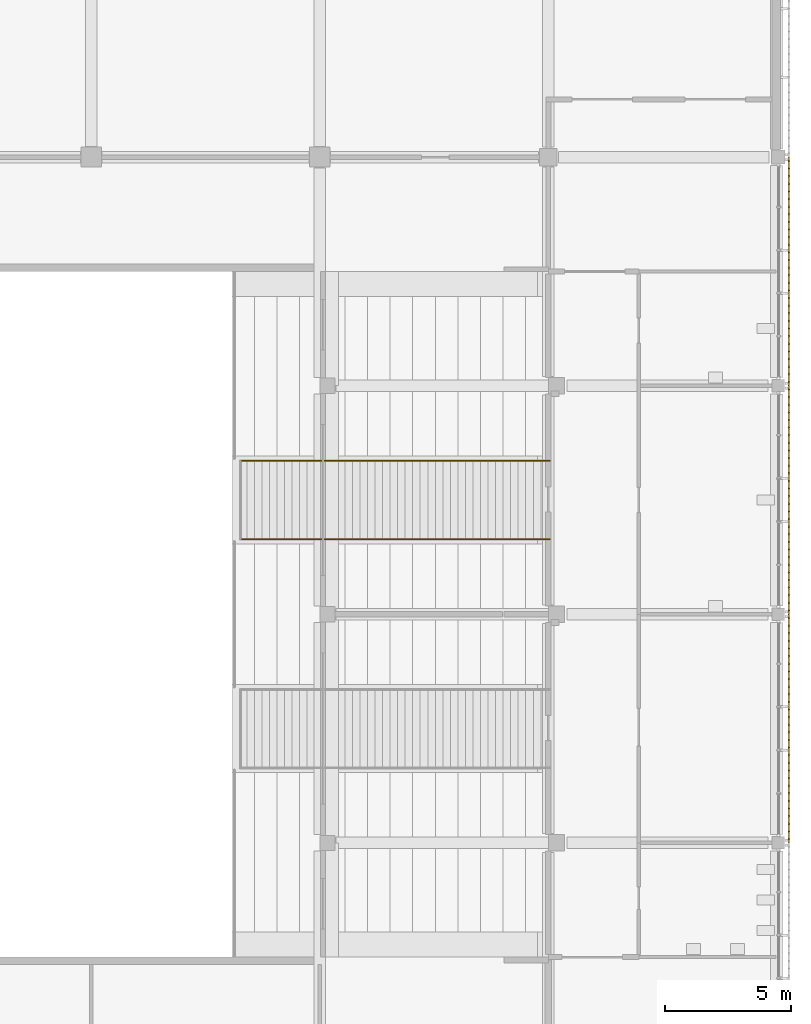
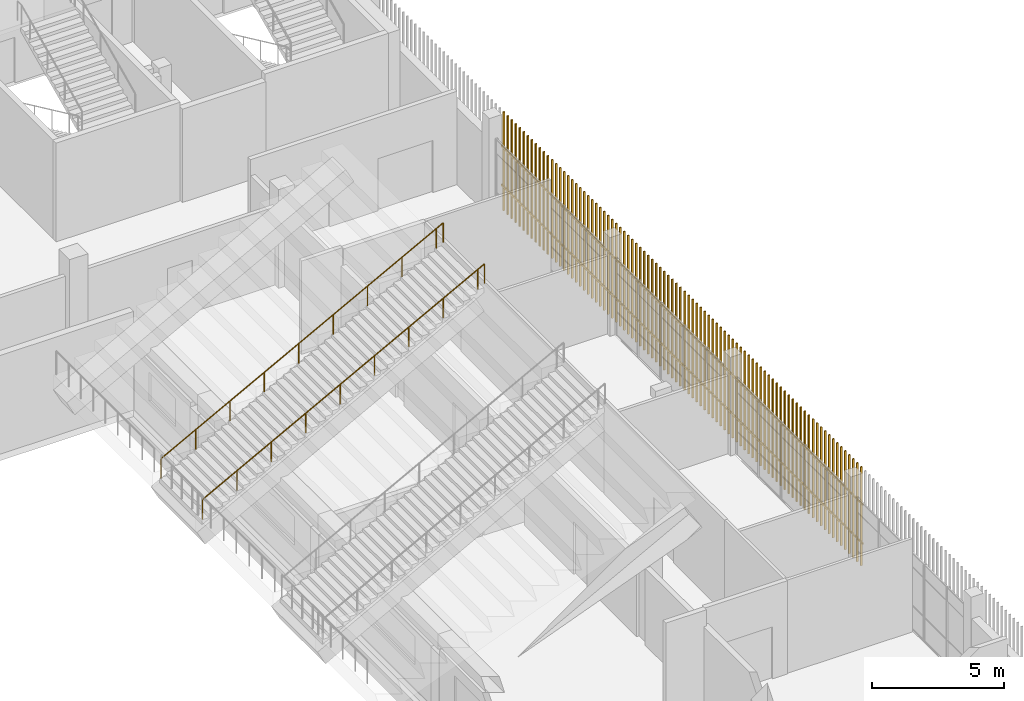
# One storey, part 133 of 139: 3 shading devices, 2 railings.
"""IFC4 building model written with IfcOpenShell, lengths in metres."""

from ifc_helpers import new_model, si_unit, direction, frame, origin, origin_2d, place, context, subcontext, project, spatial, rectangle, circle, extrude, material, type_object, element, save


model = new_model("IFC4")

# Units and contexts
model_context = context("Model", 3, precision=1e-05, world=origin(), true_north=direction((0.0, 1.0)))
body_context = subcontext(model_context, "Body", "Model", "MODEL_VIEW")
ifc_project = project(units=[si_unit("LENGTHUNIT", "METRE"), si_unit("AREAUNIT", "SQUARE_METRE"), si_unit("VOLUMEUNIT", "CUBIC_METRE"), si_unit("PLANEANGLEUNIT", "RADIAN"), si_unit("MASSUNIT", "GRAM", prefix="KILO")], contexts=[model_context])

# Site, building, storey
site_placement = place(None, origin())
site = spatial("IfcSite", under=ifc_project, at=site_placement, CompositionType="ELEMENT")
building_placement = place(site_placement, origin())
building = spatial("IfcBuilding", under=site, at=building_placement, Name="Shirokan Park Arena", CompositionType="ELEMENT")
storey_placement = place(building_placement, frame((0.0, 0.0, 15.469970703125)))
storey = spatial("IfcBuildingStorey", under=building, at=storey_placement, Name="L03", CompositionType="ELEMENT", Elevation=15.469970703125)

# Railings
ifc_material_1 = material(Name="Stainless steel", Category="steel")
railing_type = type_object("IfcRailingType", Name="Aisle handrail 900", PredefinedType="HANDRAIL", material=ifc_material_1)
railing_1_placement = place(storey_placement, frame((124.25, 57.590087890625, 2.5400390625)))
element("IfcRailing", 1, at=railing_1_placement, inside=storey, type_object=railing_type, Name="Handrail vomitory stair E2 upper", PredefinedType="HANDRAIL", context=body_context, shape_type="SweptSolid", body=[
    extrude(circle(Radius=0.02490234375, at=origin_2d()), frame((0.0, 0.0, 0.90185546875), z_axis=(0.882341014787, 0.0, 0.470610596591), x_axis=(0.0, 1.0, 0.0)), (0.0, 0.0, 1.0), 1.699951171875),
    extrude(circle(Radius=0.02490234375, at=origin_2d()), frame((1.5, 0.0, 1.70166015625), z_axis=(0.882341014787, 0.0, 0.470610596591), x_axis=(0.0, 1.0, 0.0)), (0.0, 0.0, 1.0), 1.699951171875),
    extrude(circle(Radius=0.02490234375, at=origin_2d()), frame((3.0, 0.0, 2.501953125), z_axis=(0.88240064429, 0.0, 0.470498781037), x_axis=(0.0, 1.0, 0.0)), (0.0, 0.0, 1.0), 1.699951171875),
    extrude(circle(Radius=0.02490234375, at=origin_2d()), frame((4.5, 0.0, 3.3017578125), z_axis=(0.882341014787, 0.0, 0.470610596591), x_axis=(0.0, 1.0, 0.0)), (0.0, 0.0, 1.0), 1.699951171875),
    extrude(circle(Radius=0.02490234375, at=origin_2d()), frame((6.0, 0.0, 4.1015625), z_axis=(0.882341014787, 0.0, 0.470610596591), x_axis=(0.0, 1.0, 0.0)), (0.0, 0.0, 1.0), 1.699951171875),
    extrude(circle(Radius=0.02490234375, at=origin_2d()), frame((7.5, 0.0, 4.90185546875), z_axis=(0.882341014787, 0.0, 0.470610596591), x_axis=(0.0, 1.0, 0.0)), (0.0, 0.0, 1.0), 1.699951171875),
    extrude(circle(Radius=0.02490234375, at=origin_2d()), frame((9.0, 0.0, 5.70166015625), z_axis=(0.882341014787, 0.0, 0.470610596591), x_axis=(0.0, 1.0, 0.0)), (0.0, 0.0, 1.0), 1.699951171875),
    extrude(circle(Radius=0.02490234375, at=origin_2d()), frame((10.5, 0.0, 6.501953125), z_axis=(0.88240064429, 0.0, 0.470498781037), x_axis=(0.0, 1.0, 0.0)), (0.0, 0.0, 1.0), 1.699951171875),
    extrude(circle(Radius=0.02490234375, at=origin_2d()), frame((12.0, 0.0, 7.3017578125), z_axis=(0.882193928472, 0.0, 0.470886262878), x_axis=(0.0, 1.0, 0.0)), (0.0, 0.0, 1.0), 0.340087890625),
    extrude(circle(Radius=0.02490234375, at=origin_2d()), origin(), (0.0, 0.0, 1.0), 0.876708984375),
    extrude(circle(Radius=0.02490234375, at=origin_2d()), frame((1.5, 0.0, 0.800048828125)), (0.0, 0.0, 1.0), 0.876708984375),
    extrude(circle(Radius=0.02490234375, at=origin_2d()), frame((3.0, 0.0, 1.60009765625)), (0.0, 0.0, 1.0), 0.876708984375),
    extrude(circle(Radius=0.02490234375, at=origin_2d()), frame((4.5, 0.0, 2.39990234375)), (0.0, 0.0, 1.0), 0.876708984375),
    extrude(circle(Radius=0.02490234375, at=origin_2d()), frame((6.0, 0.0, 3.199951171875)), (0.0, 0.0, 1.0), 0.876708984375),
    extrude(circle(Radius=0.02490234375, at=origin_2d()), frame((7.5, 0.0, 4.0)), (0.0, 0.0, 1.0), 0.876708984375),
    extrude(circle(Radius=0.02490234375, at=origin_2d()), frame((9.0, 0.0, 4.800048828125)), (0.0, 0.0, 1.0), 0.876708984375),
    extrude(circle(Radius=0.02490234375, at=origin_2d()), frame((10.5, 0.0, 5.60009765625)), (0.0, 0.0, 1.0), 0.876708984375),
    extrude(circle(Radius=0.02490234375, at=origin_2d()), frame((12.0, 0.0, 6.39990234375)), (0.0, 0.0, 1.0), 0.876708984375),
    extrude(circle(Radius=0.02490234375, at=origin_2d()), frame((12.300048828125, 0.0, 6.56005859375)), (0.0, 0.0, 1.0), 0.876708984375),
])
railing_2_placement = place(storey_placement, frame((124.25, 60.7099609375, 2.5400390625)))
element("IfcRailing", 2, at=railing_2_placement, inside=storey, type_object=railing_type, Name="Handrail vomitory stair E2 upper", PredefinedType="HANDRAIL", context=body_context, shape_type="SweptSolid", body=[
    extrude(circle(Radius=0.02490234375, at=origin_2d()), frame((0.0, 0.0, 0.90185546875), z_axis=(0.882341014787, 0.0, 0.470610596591), x_axis=(0.0, 1.0, 0.0)), (0.0, 0.0, 1.0), 1.699951171875),
    extrude(circle(Radius=0.02490234375, at=origin_2d()), frame((1.5, 0.0, 1.70166015625), z_axis=(0.882341014787, 0.0, 0.470610596591), x_axis=(0.0, 1.0, 0.0)), (0.0, 0.0, 1.0), 1.699951171875),
    extrude(circle(Radius=0.02490234375, at=origin_2d()), frame((3.0, 0.0, 2.501953125), z_axis=(0.88240064429, 0.0, 0.470498781037), x_axis=(0.0, 1.0, 0.0)), (0.0, 0.0, 1.0), 1.699951171875),
    extrude(circle(Radius=0.02490234375, at=origin_2d()), frame((4.5, 0.0, 3.3017578125), z_axis=(0.882341014787, 0.0, 0.470610596591), x_axis=(0.0, 1.0, 0.0)), (0.0, 0.0, 1.0), 1.699951171875),
    extrude(circle(Radius=0.02490234375, at=origin_2d()), frame((6.0, 0.0, 4.1015625), z_axis=(0.882341014787, 0.0, 0.470610596591), x_axis=(0.0, 1.0, 0.0)), (0.0, 0.0, 1.0), 1.699951171875),
    extrude(circle(Radius=0.02490234375, at=origin_2d()), frame((7.5, 0.0, 4.90185546875), z_axis=(0.882341014787, 0.0, 0.470610596591), x_axis=(0.0, 1.0, 0.0)), (0.0, 0.0, 1.0), 1.699951171875),
    extrude(circle(Radius=0.02490234375, at=origin_2d()), frame((9.0, 0.0, 5.70166015625), z_axis=(0.882341014787, 0.0, 0.470610596591), x_axis=(0.0, 1.0, 0.0)), (0.0, 0.0, 1.0), 1.699951171875),
    extrude(circle(Radius=0.02490234375, at=origin_2d()), frame((10.5, 0.0, 6.501953125), z_axis=(0.88240064429, 0.0, 0.470498781037), x_axis=(0.0, 1.0, 0.0)), (0.0, 0.0, 1.0), 1.699951171875),
    extrude(circle(Radius=0.02490234375, at=origin_2d()), frame((12.0, 0.0, 7.3017578125), z_axis=(0.882193928472, 0.0, 0.470886262878), x_axis=(0.0, 1.0, 0.0)), (0.0, 0.0, 1.0), 0.340087890625),
    extrude(circle(Radius=0.02490234375, at=origin_2d()), origin(), (0.0, 0.0, 1.0), 0.876708984375),
    extrude(circle(Radius=0.02490234375, at=origin_2d()), frame((1.5, 0.0, 0.800048828125)), (0.0, 0.0, 1.0), 0.876708984375),
    extrude(circle(Radius=0.02490234375, at=origin_2d()), frame((3.0, 0.0, 1.60009765625)), (0.0, 0.0, 1.0), 0.876708984375),
    extrude(circle(Radius=0.02490234375, at=origin_2d()), frame((4.5, 0.0, 2.39990234375)), (0.0, 0.0, 1.0), 0.876708984375),
    extrude(circle(Radius=0.02490234375, at=origin_2d()), frame((6.0, 0.0, 3.199951171875)), (0.0, 0.0, 1.0), 0.876708984375),
    extrude(circle(Radius=0.02490234375, at=origin_2d()), frame((7.5, 0.0, 4.0)), (0.0, 0.0, 1.0), 0.876708984375),
    extrude(circle(Radius=0.02490234375, at=origin_2d()), frame((9.0, 0.0, 4.800048828125)), (0.0, 0.0, 1.0), 0.876708984375),
    extrude(circle(Radius=0.02490234375, at=origin_2d()), frame((10.5, 0.0, 5.60009765625)), (0.0, 0.0, 1.0), 0.876708984375),
    extrude(circle(Radius=0.02490234375, at=origin_2d()), frame((12.0, 0.0, 6.39990234375)), (0.0, 0.0, 1.0), 0.876708984375),
    extrude(circle(Radius=0.02490234375, at=origin_2d()), frame((12.300048828125, 0.0, 6.56005859375)), (0.0, 0.0, 1.0), 0.876708984375),
])

# Shading devices
ifc_material_2 = material(Name="Timber louvre veil (cedar)", Category="wood")
shading_device_type = type_object("IfcShadingDeviceType", Name="Timber louvre veil panel", PredefinedType="JALOUSIE", material=ifc_material_2)
shading_device_1_placement = place(storey_placement, origin())
element("IfcShadingDevice", 3, at=shading_device_1_placement, inside=storey, type_object=shading_device_type, Name="Timber louvre veil east bay 6 L03", PredefinedType="JALOUSIE", context=body_context, shape_type="SweptSolid", body=[
    extrude(rectangle(XDim=0.050048828125, YDim=0.080078125, at=origin_2d()), frame((146.0849609375, 45.651611328125, 0.0), z_axis=(0.0, 0.0, 1.0), x_axis=(0.0, 1.0, 0.0)), (0.0, 0.0, 1.0), 4.550048828125),
    extrude(rectangle(XDim=0.050048828125, YDim=0.080078125, at=origin_2d()), frame((146.0849609375, 45.955078125, 0.0), z_axis=(0.0, 0.0, 1.0), x_axis=(0.0, 1.0, 0.0)), (0.0, 0.0, 1.0), 4.550048828125),
    extrude(rectangle(XDim=0.050048828125, YDim=0.080078125, at=origin_2d()), frame((146.0849609375, 46.25830078125, 0.0), z_axis=(0.0, 0.0, 1.0), x_axis=(0.0, 1.0, 0.0)), (0.0, 0.0, 1.0), 4.550048828125),
    extrude(rectangle(XDim=0.050048828125, YDim=0.080078125, at=origin_2d()), frame((146.0849609375, 46.561767578125, 0.0), z_axis=(0.0, 0.0, 1.0), x_axis=(0.0, 1.0, 0.0)), (0.0, 0.0, 1.0), 4.550048828125),
    extrude(rectangle(XDim=0.050048828125, YDim=0.080078125, at=origin_2d()), frame((146.0849609375, 46.864990234375, 0.0), z_axis=(0.0, 0.0, 1.0), x_axis=(0.0, 1.0, 0.0)), (0.0, 0.0, 1.0), 4.550048828125),
    extrude(rectangle(XDim=0.050048828125, YDim=0.080078125, at=origin_2d()), frame((146.0849609375, 47.168212890625, 0.0), z_axis=(0.0, 0.0, 1.0), x_axis=(0.0, 1.0, 0.0)), (0.0, 0.0, 1.0), 4.550048828125),
    extrude(rectangle(XDim=0.050048828125, YDim=0.080078125, at=origin_2d()), frame((146.0849609375, 47.4716796875, 0.0), z_axis=(0.0, 0.0, 1.0), x_axis=(0.0, 1.0, 0.0)), (0.0, 0.0, 1.0), 4.550048828125),
    extrude(rectangle(XDim=0.050048828125, YDim=0.080078125, at=origin_2d()), frame((146.0849609375, 47.77490234375, 0.0), z_axis=(0.0, 0.0, 1.0), x_axis=(0.0, 1.0, 0.0)), (0.0, 0.0, 1.0), 4.550048828125),
    extrude(rectangle(XDim=0.050048828125, YDim=0.080078125, at=origin_2d()), frame((146.0849609375, 48.078369140625, 0.0), z_axis=(0.0, 0.0, 1.0), x_axis=(0.0, 1.0, 0.0)), (0.0, 0.0, 1.0), 4.550048828125),
    extrude(rectangle(XDim=0.050048828125, YDim=0.080078125, at=origin_2d()), frame((146.0849609375, 48.381591796875, 0.0), z_axis=(0.0, 0.0, 1.0), x_axis=(0.0, 1.0, 0.0)), (0.0, 0.0, 1.0), 4.550048828125),
    extrude(rectangle(XDim=0.050048828125, YDim=0.080078125, at=origin_2d()), frame((146.0849609375, 48.68505859375, 0.0), z_axis=(0.0, 0.0, 1.0), x_axis=(0.0, 1.0, 0.0)), (0.0, 0.0, 1.0), 4.550048828125),
    extrude(rectangle(XDim=0.050048828125, YDim=0.080078125, at=origin_2d()), frame((146.0849609375, 48.98828125, 0.0), z_axis=(0.0, 0.0, 1.0), x_axis=(0.0, 1.0, 0.0)), (0.0, 0.0, 1.0), 4.550048828125),
    extrude(rectangle(XDim=0.050048828125, YDim=0.080078125, at=origin_2d()), frame((146.0849609375, 49.291748046875, 0.0), z_axis=(0.0, 0.0, 1.0), x_axis=(0.0, 1.0, 0.0)), (0.0, 0.0, 1.0), 4.550048828125),
    extrude(rectangle(XDim=0.050048828125, YDim=0.080078125, at=origin_2d()), frame((146.0849609375, 49.594970703125, 0.0), z_axis=(0.0, 0.0, 1.0), x_axis=(0.0, 1.0, 0.0)), (0.0, 0.0, 1.0), 4.550048828125),
    extrude(rectangle(XDim=0.050048828125, YDim=0.080078125, at=origin_2d()), frame((146.0849609375, 49.8984375, 0.0), z_axis=(0.0, 0.0, 1.0), x_axis=(0.0, 1.0, 0.0)), (0.0, 0.0, 1.0), 4.550048828125),
    extrude(rectangle(XDim=0.050048828125, YDim=0.080078125, at=origin_2d()), frame((146.0849609375, 50.20166015625, 0.0), z_axis=(0.0, 0.0, 1.0), x_axis=(0.0, 1.0, 0.0)), (0.0, 0.0, 1.0), 4.550048828125),
    extrude(rectangle(XDim=0.050048828125, YDim=0.080078125, at=origin_2d()), frame((146.0849609375, 50.5048828125, 0.0), z_axis=(0.0, 0.0, 1.0), x_axis=(0.0, 1.0, 0.0)), (0.0, 0.0, 1.0), 4.550048828125),
    extrude(rectangle(XDim=0.050048828125, YDim=0.080078125, at=origin_2d()), frame((146.0849609375, 50.808349609375, 0.0), z_axis=(0.0, 0.0, 1.0), x_axis=(0.0, 1.0, 0.0)), (0.0, 0.0, 1.0), 4.550048828125),
    extrude(rectangle(XDim=0.050048828125, YDim=0.080078125, at=origin_2d()), frame((146.0849609375, 51.111572265625, 0.0), z_axis=(0.0, 0.0, 1.0), x_axis=(0.0, 1.0, 0.0)), (0.0, 0.0, 1.0), 4.550048828125),
    extrude(rectangle(XDim=0.050048828125, YDim=0.080078125, at=origin_2d()), frame((146.0849609375, 51.4150390625, 0.0), z_axis=(0.0, 0.0, 1.0), x_axis=(0.0, 1.0, 0.0)), (0.0, 0.0, 1.0), 4.550048828125),
    extrude(rectangle(XDim=0.050048828125, YDim=0.080078125, at=origin_2d()), frame((146.0849609375, 51.71826171875, 0.0), z_axis=(0.0, 0.0, 1.0), x_axis=(0.0, 1.0, 0.0)), (0.0, 0.0, 1.0), 4.550048828125),
    extrude(rectangle(XDim=0.050048828125, YDim=0.080078125, at=origin_2d()), frame((146.0849609375, 52.021728515625, 0.0), z_axis=(0.0, 0.0, 1.0), x_axis=(0.0, 1.0, 0.0)), (0.0, 0.0, 1.0), 4.550048828125),
    extrude(rectangle(XDim=0.050048828125, YDim=0.080078125, at=origin_2d()), frame((146.0849609375, 52.324951171875, 0.0), z_axis=(0.0, 0.0, 1.0), x_axis=(0.0, 1.0, 0.0)), (0.0, 0.0, 1.0), 4.550048828125),
    extrude(rectangle(XDim=0.050048828125, YDim=0.080078125, at=origin_2d()), frame((146.0849609375, 52.62841796875, 0.0), z_axis=(0.0, 0.0, 1.0), x_axis=(0.0, 1.0, 0.0)), (0.0, 0.0, 1.0), 4.550048828125),
    extrude(rectangle(XDim=0.050048828125, YDim=0.080078125, at=origin_2d()), frame((146.0849609375, 52.931640625, 0.0), z_axis=(0.0, 0.0, 1.0), x_axis=(0.0, 1.0, 0.0)), (0.0, 0.0, 1.0), 4.550048828125),
    extrude(rectangle(XDim=0.050048828125, YDim=0.080078125, at=origin_2d()), frame((146.0849609375, 53.235107421875, 0.0), z_axis=(0.0, 0.0, 1.0), x_axis=(0.0, 1.0, 0.0)), (0.0, 0.0, 1.0), 4.550048828125),
    extrude(rectangle(XDim=0.050048828125, YDim=0.080078125, at=origin_2d()), frame((146.0849609375, 53.538330078125, 0.0), z_axis=(0.0, 0.0, 1.0), x_axis=(0.0, 1.0, 0.0)), (0.0, 0.0, 1.0), 4.550048828125),
    extrude(rectangle(XDim=0.050048828125, YDim=0.080078125, at=origin_2d()), frame((146.0849609375, 53.841552734375, 0.0), z_axis=(0.0, 0.0, 1.0), x_axis=(0.0, 1.0, 0.0)), (0.0, 0.0, 1.0), 4.550048828125),
    extrude(rectangle(XDim=0.050048828125, YDim=0.080078125, at=origin_2d()), frame((146.0849609375, 54.14501953125, 0.0), z_axis=(0.0, 0.0, 1.0), x_axis=(0.0, 1.0, 0.0)), (0.0, 0.0, 1.0), 4.550048828125),
    extrude(rectangle(XDim=0.050048828125, YDim=0.080078125, at=origin_2d()), frame((146.0849609375, 54.4482421875, 0.0), z_axis=(0.0, 0.0, 1.0), x_axis=(0.0, 1.0, 0.0)), (0.0, 0.0, 1.0), 4.550048828125),
    extrude(rectangle(XDim=9.10009765625, YDim=0.050048828125, at=origin_2d()), frame((146.070068359375, 50.050048828125, 1.06005859375), z_axis=(0.0, 0.0, 1.0), x_axis=(0.0, 1.0, 0.0)), (0.0, 0.0, 1.0), 0.080078125),
    extrude(rectangle(XDim=9.10009765625, YDim=0.050048828125, at=origin_2d()), frame((146.070068359375, 50.050048828125, 2.860107421875), z_axis=(0.0, 0.0, 1.0), x_axis=(0.0, 1.0, 0.0)), (0.0, 0.0, 1.0), 0.080078125),
])
shading_device_2_placement = place(storey_placement, origin())
element("IfcShadingDevice", 4, at=shading_device_2_placement, inside=storey, type_object=shading_device_type, Name="Timber louvre veil east bay 7 L03", PredefinedType="JALOUSIE", context=body_context, shape_type="SweptSolid", body=[
    extrude(rectangle(XDim=0.050048828125, YDim=0.080078125, at=origin_2d()), frame((146.0849609375, 54.751708984375, 0.0), z_axis=(0.0, 0.0, 1.0), x_axis=(0.0, 1.0, 0.0)), (0.0, 0.0, 1.0), 4.550048828125),
    extrude(rectangle(XDim=0.050048828125, YDim=0.080078125, at=origin_2d()), frame((146.0849609375, 55.054931640625, 0.0), z_axis=(0.0, 0.0, 1.0), x_axis=(0.0, 1.0, 0.0)), (0.0, 0.0, 1.0), 4.550048828125),
    extrude(rectangle(XDim=0.050048828125, YDim=0.080078125, at=origin_2d()), frame((146.0849609375, 55.3583984375, 0.0), z_axis=(0.0, 0.0, 1.0), x_axis=(0.0, 1.0, 0.0)), (0.0, 0.0, 1.0), 4.550048828125),
    extrude(rectangle(XDim=0.050048828125, YDim=0.080078125, at=origin_2d()), frame((146.0849609375, 55.66162109375, 0.0), z_axis=(0.0, 0.0, 1.0), x_axis=(0.0, 1.0, 0.0)), (0.0, 0.0, 1.0), 4.550048828125),
    extrude(rectangle(XDim=0.050048828125, YDim=0.080078125, at=origin_2d()), frame((146.0849609375, 55.965087890625, 0.0), z_axis=(0.0, 0.0, 1.0), x_axis=(0.0, 1.0, 0.0)), (0.0, 0.0, 1.0), 4.550048828125),
    extrude(rectangle(XDim=0.050048828125, YDim=0.080078125, at=origin_2d()), frame((146.0849609375, 56.268310546875, 0.0), z_axis=(0.0, 0.0, 1.0), x_axis=(0.0, 1.0, 0.0)), (0.0, 0.0, 1.0), 4.550048828125),
    extrude(rectangle(XDim=0.050048828125, YDim=0.080078125, at=origin_2d()), frame((146.0849609375, 56.57177734375, 0.0), z_axis=(0.0, 0.0, 1.0), x_axis=(0.0, 1.0, 0.0)), (0.0, 0.0, 1.0), 4.550048828125),
    extrude(rectangle(XDim=0.050048828125, YDim=0.080078125, at=origin_2d()), frame((146.0849609375, 56.875, 0.0), z_axis=(0.0, 0.0, 1.0), x_axis=(0.0, 1.0, 0.0)), (0.0, 0.0, 1.0), 4.550048828125),
    extrude(rectangle(XDim=0.050048828125, YDim=0.080078125, at=origin_2d()), frame((146.0849609375, 57.17822265625, 0.0), z_axis=(0.0, 0.0, 1.0), x_axis=(0.0, 1.0, 0.0)), (0.0, 0.0, 1.0), 4.550048828125),
    extrude(rectangle(XDim=0.050048828125, YDim=0.080078125, at=origin_2d()), frame((146.0849609375, 57.481689453125, 0.0), z_axis=(0.0, 0.0, 1.0), x_axis=(0.0, 1.0, 0.0)), (0.0, 0.0, 1.0), 4.550048828125),
    extrude(rectangle(XDim=0.050048828125, YDim=0.080078125, at=origin_2d()), frame((146.0849609375, 57.784912109375, 0.0), z_axis=(0.0, 0.0, 1.0), x_axis=(0.0, 1.0, 0.0)), (0.0, 0.0, 1.0), 4.550048828125),
    extrude(rectangle(XDim=0.050048828125, YDim=0.080078125, at=origin_2d()), frame((146.0849609375, 58.08837890625, 0.0), z_axis=(0.0, 0.0, 1.0), x_axis=(0.0, 1.0, 0.0)), (0.0, 0.0, 1.0), 4.550048828125),
    extrude(rectangle(XDim=0.050048828125, YDim=0.080078125, at=origin_2d()), frame((146.0849609375, 58.3916015625, 0.0), z_axis=(0.0, 0.0, 1.0), x_axis=(0.0, 1.0, 0.0)), (0.0, 0.0, 1.0), 4.550048828125),
    extrude(rectangle(XDim=0.050048828125, YDim=0.080078125, at=origin_2d()), frame((146.0849609375, 58.695068359375, 0.0), z_axis=(0.0, 0.0, 1.0), x_axis=(0.0, 1.0, 0.0)), (0.0, 0.0, 1.0), 4.550048828125),
    extrude(rectangle(XDim=0.050048828125, YDim=0.080078125, at=origin_2d()), frame((146.0849609375, 58.998291015625, 0.0), z_axis=(0.0, 0.0, 1.0), x_axis=(0.0, 1.0, 0.0)), (0.0, 0.0, 1.0), 4.550048828125),
    extrude(rectangle(XDim=0.050048828125, YDim=0.080078125, at=origin_2d()), frame((146.0849609375, 59.3017578125, 0.0), z_axis=(0.0, 0.0, 1.0), x_axis=(0.0, 1.0, 0.0)), (0.0, 0.0, 1.0), 4.550048828125),
    extrude(rectangle(XDim=0.050048828125, YDim=0.080078125, at=origin_2d()), frame((146.0849609375, 59.60498046875, 0.0), z_axis=(0.0, 0.0, 1.0), x_axis=(0.0, 1.0, 0.0)), (0.0, 0.0, 1.0), 4.550048828125),
    extrude(rectangle(XDim=0.050048828125, YDim=0.080078125, at=origin_2d()), frame((146.0849609375, 59.908447265625, 0.0), z_axis=(0.0, 0.0, 1.0), x_axis=(0.0, 1.0, 0.0)), (0.0, 0.0, 1.0), 4.550048828125),
    extrude(rectangle(XDim=0.050048828125, YDim=0.080078125, at=origin_2d()), frame((146.0849609375, 60.211669921875, 0.0), z_axis=(0.0, 0.0, 1.0), x_axis=(0.0, 1.0, 0.0)), (0.0, 0.0, 1.0), 4.550048828125),
    extrude(rectangle(XDim=0.050048828125, YDim=0.080078125, at=origin_2d()), frame((146.0849609375, 60.514892578125, 0.0), z_axis=(0.0, 0.0, 1.0), x_axis=(0.0, 1.0, 0.0)), (0.0, 0.0, 1.0), 4.550048828125),
    extrude(rectangle(XDim=0.050048828125, YDim=0.080078125, at=origin_2d()), frame((146.0849609375, 60.818359375, 0.0), z_axis=(0.0, 0.0, 1.0), x_axis=(0.0, 1.0, 0.0)), (0.0, 0.0, 1.0), 4.550048828125),
    extrude(rectangle(XDim=0.050048828125, YDim=0.080078125, at=origin_2d()), frame((146.0849609375, 61.12158203125, 0.0), z_axis=(0.0, 0.0, 1.0), x_axis=(0.0, 1.0, 0.0)), (0.0, 0.0, 1.0), 4.550048828125),
    extrude(rectangle(XDim=0.050048828125, YDim=0.080078125, at=origin_2d()), frame((146.0849609375, 61.425048828125, 0.0), z_axis=(0.0, 0.0, 1.0), x_axis=(0.0, 1.0, 0.0)), (0.0, 0.0, 1.0), 4.550048828125),
    extrude(rectangle(XDim=0.050048828125, YDim=0.080078125, at=origin_2d()), frame((146.0849609375, 61.728271484375, 0.0), z_axis=(0.0, 0.0, 1.0), x_axis=(0.0, 1.0, 0.0)), (0.0, 0.0, 1.0), 4.550048828125),
    extrude(rectangle(XDim=0.050048828125, YDim=0.080078125, at=origin_2d()), frame((146.0849609375, 62.03173828125, 0.0), z_axis=(0.0, 0.0, 1.0), x_axis=(0.0, 1.0, 0.0)), (0.0, 0.0, 1.0), 4.550048828125),
    extrude(rectangle(XDim=0.050048828125, YDim=0.080078125, at=origin_2d()), frame((146.0849609375, 62.3349609375, 0.0), z_axis=(0.0, 0.0, 1.0), x_axis=(0.0, 1.0, 0.0)), (0.0, 0.0, 1.0), 4.550048828125),
    extrude(rectangle(XDim=0.050048828125, YDim=0.080078125, at=origin_2d()), frame((146.0849609375, 62.638427734375, 0.0), z_axis=(0.0, 0.0, 1.0), x_axis=(0.0, 1.0, 0.0)), (0.0, 0.0, 1.0), 4.550048828125),
    extrude(rectangle(XDim=0.050048828125, YDim=0.080078125, at=origin_2d()), frame((146.0849609375, 62.941650390625, 0.0), z_axis=(0.0, 0.0, 1.0), x_axis=(0.0, 1.0, 0.0)), (0.0, 0.0, 1.0), 4.550048828125),
    extrude(rectangle(XDim=0.050048828125, YDim=0.080078125, at=origin_2d()), frame((146.0849609375, 63.2451171875, 0.0), z_axis=(0.0, 0.0, 1.0), x_axis=(0.0, 1.0, 0.0)), (0.0, 0.0, 1.0), 4.550048828125),
    extrude(rectangle(XDim=0.050048828125, YDim=0.080078125, at=origin_2d()), frame((146.0849609375, 63.54833984375, 0.0), z_axis=(0.0, 0.0, 1.0), x_axis=(0.0, 1.0, 0.0)), (0.0, 0.0, 1.0), 4.550048828125),
    extrude(rectangle(XDim=9.10009765625, YDim=0.050048828125, at=origin_2d()), frame((146.070068359375, 59.14990234375, 1.06005859375), z_axis=(0.0, 0.0, 1.0), x_axis=(0.0, 1.0, 0.0)), (0.0, 0.0, 1.0), 0.080078125),
    extrude(rectangle(XDim=9.10009765625, YDim=0.050048828125, at=origin_2d()), frame((146.070068359375, 59.14990234375, 2.860107421875), z_axis=(0.0, 0.0, 1.0), x_axis=(0.0, 1.0, 0.0)), (0.0, 0.0, 1.0), 0.080078125),
])
shading_device_3_placement = place(storey_placement, origin())
element("IfcShadingDevice", 5, at=shading_device_3_placement, inside=storey, type_object=shading_device_type, Name="Timber louvre veil east bay 8 L03", PredefinedType="JALOUSIE", context=body_context, shape_type="SweptSolid", body=[
    extrude(rectangle(XDim=0.050048828125, YDim=0.080078125, at=origin_2d()), frame((146.0849609375, 63.8515625, 0.0), z_axis=(0.0, 0.0, 1.0), x_axis=(0.0, 1.0, 0.0)), (0.0, 0.0, 1.0), 4.550048828125),
    extrude(rectangle(XDim=0.050048828125, YDim=0.080078125, at=origin_2d()), frame((146.0849609375, 64.155029296875, 0.0), z_axis=(0.0, 0.0, 1.0), x_axis=(0.0, 1.0, 0.0)), (0.0, 0.0, 1.0), 4.550048828125),
    extrude(rectangle(XDim=0.050048828125, YDim=0.080078125, at=origin_2d()), frame((146.0849609375, 64.458251953125, 0.0), z_axis=(0.0, 0.0, 1.0), x_axis=(0.0, 1.0, 0.0)), (0.0, 0.0, 1.0), 4.550048828125),
    extrude(rectangle(XDim=0.050048828125, YDim=0.080078125, at=origin_2d()), frame((146.0849609375, 64.76171875, 0.0), z_axis=(0.0, 0.0, 1.0), x_axis=(0.0, 1.0, 0.0)), (0.0, 0.0, 1.0), 4.550048828125),
    extrude(rectangle(XDim=0.050048828125, YDim=0.080078125, at=origin_2d()), frame((146.0849609375, 65.06494140625, 0.0), z_axis=(0.0, 0.0, 1.0), x_axis=(0.0, 1.0, 0.0)), (0.0, 0.0, 1.0), 4.550048828125),
    extrude(rectangle(XDim=0.050048828125, YDim=0.080078125, at=origin_2d()), frame((146.0849609375, 65.368408203125, 0.0), z_axis=(0.0, 0.0, 1.0), x_axis=(0.0, 1.0, 0.0)), (0.0, 0.0, 1.0), 4.550048828125),
    extrude(rectangle(XDim=0.050048828125, YDim=0.080078125, at=origin_2d()), frame((146.0849609375, 65.671630859375, 0.0), z_axis=(0.0, 0.0, 1.0), x_axis=(0.0, 1.0, 0.0)), (0.0, 0.0, 1.0), 4.550048828125),
    extrude(rectangle(XDim=0.050048828125, YDim=0.080078125, at=origin_2d()), frame((146.0849609375, 65.97509765625, 0.0), z_axis=(0.0, 0.0, 1.0), x_axis=(0.0, 1.0, 0.0)), (0.0, 0.0, 1.0), 4.550048828125),
    extrude(rectangle(XDim=0.050048828125, YDim=0.080078125, at=origin_2d()), frame((146.0849609375, 66.2783203125, 0.0), z_axis=(0.0, 0.0, 1.0), x_axis=(0.0, 1.0, 0.0)), (0.0, 0.0, 1.0), 4.550048828125),
    extrude(rectangle(XDim=0.050048828125, YDim=0.080078125, at=origin_2d()), frame((146.0849609375, 66.581787109375, 0.0), z_axis=(0.0, 0.0, 1.0), x_axis=(0.0, 1.0, 0.0)), (0.0, 0.0, 1.0), 4.550048828125),
    extrude(rectangle(XDim=0.050048828125, YDim=0.080078125, at=origin_2d()), frame((146.0849609375, 66.885009765625, 0.0), z_axis=(0.0, 0.0, 1.0), x_axis=(0.0, 1.0, 0.0)), (0.0, 0.0, 1.0), 4.550048828125),
    extrude(rectangle(XDim=0.050048828125, YDim=0.080078125, at=origin_2d()), frame((146.0849609375, 67.188232421875, 0.0), z_axis=(0.0, 0.0, 1.0), x_axis=(0.0, 1.0, 0.0)), (0.0, 0.0, 1.0), 4.550048828125),
    extrude(rectangle(XDim=0.050048828125, YDim=0.080078125, at=origin_2d()), frame((146.0849609375, 67.49169921875, 0.0), z_axis=(0.0, 0.0, 1.0), x_axis=(0.0, 1.0, 0.0)), (0.0, 0.0, 1.0), 4.550048828125),
    extrude(rectangle(XDim=0.050048828125, YDim=0.080078125, at=origin_2d()), frame((146.0849609375, 67.794921875, 0.0), z_axis=(0.0, 0.0, 1.0), x_axis=(0.0, 1.0, 0.0)), (0.0, 0.0, 1.0), 4.550048828125),
    extrude(rectangle(XDim=0.050048828125, YDim=0.080078125, at=origin_2d()), frame((146.0849609375, 68.098388671875, 0.0), z_axis=(0.0, 0.0, 1.0), x_axis=(0.0, 1.0, 0.0)), (0.0, 0.0, 1.0), 4.550048828125),
    extrude(rectangle(XDim=0.050048828125, YDim=0.080078125, at=origin_2d()), frame((146.0849609375, 68.401611328125, 0.0), z_axis=(0.0, 0.0, 1.0), x_axis=(0.0, 1.0, 0.0)), (0.0, 0.0, 1.0), 4.550048828125),
    extrude(rectangle(XDim=0.050048828125, YDim=0.080078125, at=origin_2d()), frame((146.0849609375, 68.705078125, 0.0), z_axis=(0.0, 0.0, 1.0), x_axis=(0.0, 1.0, 0.0)), (0.0, 0.0, 1.0), 4.550048828125),
    extrude(rectangle(XDim=0.050048828125, YDim=0.080078125, at=origin_2d()), frame((146.0849609375, 69.00830078125, 0.0), z_axis=(0.0, 0.0, 1.0), x_axis=(0.0, 1.0, 0.0)), (0.0, 0.0, 1.0), 4.550048828125),
    extrude(rectangle(XDim=0.050048828125, YDim=0.080078125, at=origin_2d()), frame((146.0849609375, 69.311767578125, 0.0), z_axis=(0.0, 0.0, 1.0), x_axis=(0.0, 1.0, 0.0)), (0.0, 0.0, 1.0), 4.550048828125),
    extrude(rectangle(XDim=0.050048828125, YDim=0.080078125, at=origin_2d()), frame((146.0849609375, 69.614990234375, 0.0), z_axis=(0.0, 0.0, 1.0), x_axis=(0.0, 1.0, 0.0)), (0.0, 0.0, 1.0), 4.550048828125),
    extrude(rectangle(XDim=0.050048828125, YDim=0.080078125, at=origin_2d()), frame((146.0849609375, 69.918212890625, 0.0), z_axis=(0.0, 0.0, 1.0), x_axis=(0.0, 1.0, 0.0)), (0.0, 0.0, 1.0), 4.550048828125),
    extrude(rectangle(XDim=0.050048828125, YDim=0.080078125, at=origin_2d()), frame((146.0849609375, 70.2216796875, 0.0), z_axis=(0.0, 0.0, 1.0), x_axis=(0.0, 1.0, 0.0)), (0.0, 0.0, 1.0), 4.550048828125),
    extrude(rectangle(XDim=0.050048828125, YDim=0.080078125, at=origin_2d()), frame((146.0849609375, 70.52490234375, 0.0), z_axis=(0.0, 0.0, 1.0), x_axis=(0.0, 1.0, 0.0)), (0.0, 0.0, 1.0), 4.550048828125),
    extrude(rectangle(XDim=0.050048828125, YDim=0.080078125, at=origin_2d()), frame((146.0849609375, 70.828369140625, 0.0), z_axis=(0.0, 0.0, 1.0), x_axis=(0.0, 1.0, 0.0)), (0.0, 0.0, 1.0), 4.550048828125),
    extrude(rectangle(XDim=0.050048828125, YDim=0.080078125, at=origin_2d()), frame((146.0849609375, 71.131591796875, 0.0), z_axis=(0.0, 0.0, 1.0), x_axis=(0.0, 1.0, 0.0)), (0.0, 0.0, 1.0), 4.550048828125),
    extrude(rectangle(XDim=0.050048828125, YDim=0.080078125, at=origin_2d()), frame((146.0849609375, 71.43505859375, 0.0), z_axis=(0.0, 0.0, 1.0), x_axis=(0.0, 1.0, 0.0)), (0.0, 0.0, 1.0), 4.550048828125),
    extrude(rectangle(XDim=0.050048828125, YDim=0.080078125, at=origin_2d()), frame((146.0849609375, 71.73828125, 0.0), z_axis=(0.0, 0.0, 1.0), x_axis=(0.0, 1.0, 0.0)), (0.0, 0.0, 1.0), 4.550048828125),
    extrude(rectangle(XDim=0.050048828125, YDim=0.080078125, at=origin_2d()), frame((146.0849609375, 72.041748046875, 0.0), z_axis=(0.0, 0.0, 1.0), x_axis=(0.0, 1.0, 0.0)), (0.0, 0.0, 1.0), 4.550048828125),
    extrude(rectangle(XDim=0.050048828125, YDim=0.080078125, at=origin_2d()), frame((146.0849609375, 72.344970703125, 0.0), z_axis=(0.0, 0.0, 1.0), x_axis=(0.0, 1.0, 0.0)), (0.0, 0.0, 1.0), 4.550048828125),
    extrude(rectangle(XDim=0.050048828125, YDim=0.080078125, at=origin_2d()), frame((146.0849609375, 72.6484375, 0.0), z_axis=(0.0, 0.0, 1.0), x_axis=(0.0, 1.0, 0.0)), (0.0, 0.0, 1.0), 4.550048828125),
    extrude(rectangle(XDim=9.10009765625, YDim=0.050048828125, at=origin_2d()), frame((146.070068359375, 68.25, 1.06005859375), z_axis=(0.0, 0.0, 1.0), x_axis=(0.0, 1.0, 0.0)), (0.0, 0.0, 1.0), 0.080078125),
    extrude(rectangle(XDim=9.10009765625, YDim=0.050048828125, at=origin_2d()), frame((146.070068359375, 68.25, 2.860107421875), z_axis=(0.0, 0.0, 1.0), x_axis=(0.0, 1.0, 0.0)), (0.0, 0.0, 1.0), 0.080078125),
])

save(model, "model.ifc")
